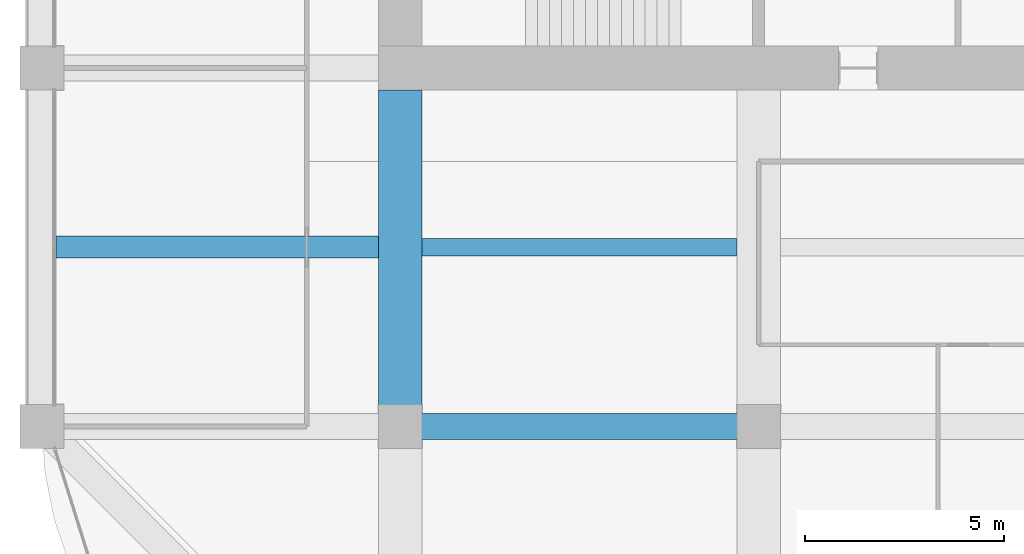
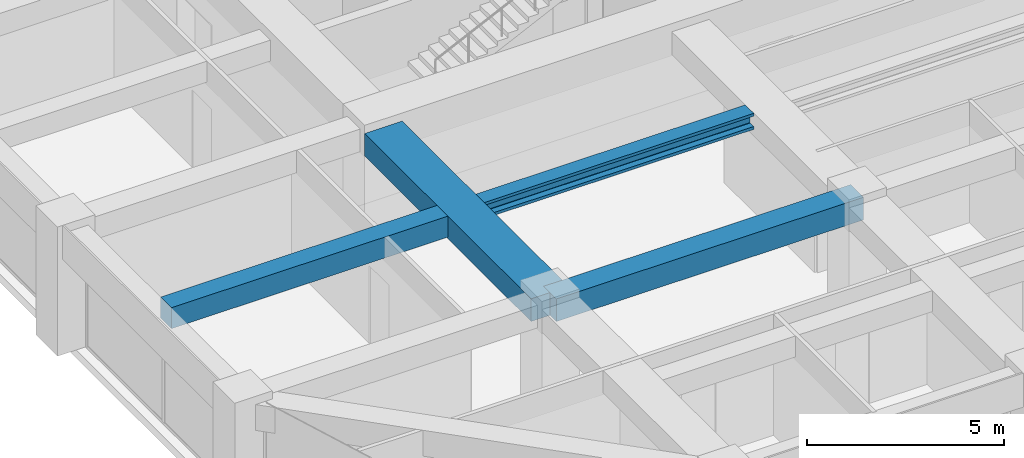
# One storey, part 8 of 44: 4 beams.
"""IFC4 building model written with IfcOpenShell, lengths in metres."""

from ifc_helpers import new_model, si_unit, direction, frame, origin, origin_2d, place, context, subcontext, project, spatial, rectangle, i_section, extrude, material, material_profile, profile_set, type_object, element, save


model = new_model("IFC4")

# Units and contexts
model_context = context("Model", 3, precision=1e-05, world=origin(), true_north=direction((0.0, 1.0)))
body_context = subcontext(model_context, "Body", "Model", "MODEL_VIEW")
ifc_project = project(units=[si_unit("LENGTHUNIT", "METRE"), si_unit("AREAUNIT", "SQUARE_METRE"), si_unit("VOLUMEUNIT", "CUBIC_METRE"), si_unit("PLANEANGLEUNIT", "RADIAN"), si_unit("MASSUNIT", "GRAM", prefix="KILO")], contexts=[model_context])

# Site, building, storey
site_placement = place(None, origin())
site = spatial("IfcSite", under=ifc_project, at=site_placement, CompositionType="ELEMENT")
building_placement = place(site_placement, origin())
building = spatial("IfcBuilding", under=site, at=building_placement, Name="Zorevar Civic Tower", CompositionType="ELEMENT")
storey_placement = place(building_placement, frame((0.0, 0.0, 295.39990234375)))
storey = spatial("IfcBuildingStorey", under=building, at=storey_placement, Name="L72", CompositionType="ELEMENT", Elevation=295.39990234375)

# Beams
ifc_material_1 = material(Name="Concrete C50/60", Category="concrete")
ifc_material_profile_1 = material_profile(ifc_material_1, rectangle(XDim=1.10009765625, YDim=0.699951171875, at=origin_2d()), Name="RC 1100x700")
ifc_profile_set_1 = profile_set([ifc_material_profile_1], Name="Concrete C50/60")
beam_type_1 = type_object("IfcBeamType", Name="Beam RC 1100x700", PredefinedType="BEAM", material=ifc_profile_set_1)
beam_1_placement = place(storey_placement, frame((18.0, 9.0, 3.400146484375), z_axis=(0.0, 1.0, 0.0), x_axis=(-1.0, 0.0, 0.0)))
element("IfcBeam", 1, at=beam_1_placement, inside=storey, type_object=beam_type_1, Name="Girder L73", PredefinedType="BEAM", context=body_context, shape_type="SweptSolid", body=[
    extrude(rectangle(XDim=1.10009765625, YDim=0.699951171875, at=origin_2d()), origin(), (0.0, 0.0, 1.0), 8.449951171875),
])
ifc_material_2 = material(Name="Concrete C50/60", Category="concrete")
ifc_material_profile_2 = material_profile(ifc_material_2, rectangle(XDim=0.550048828125, YDim=0.64990234375, at=origin_2d()), Name="RC 550x650")
ifc_profile_set_2 = profile_set([ifc_material_profile_2], Name="Concrete C50/60")
beam_type_2 = type_object("IfcBeamType", Name="Beam RC 550x650", PredefinedType="BEAM", material=ifc_profile_set_2)
beam_2_placement = place(storey_placement, frame((9.35009765625, 13.5, 3.425048828125), z_axis=(1.0, 0.0, 0.0), x_axis=(0.0, 1.0, 0.0)))
element("IfcBeam", 2, at=beam_2_placement, inside=storey, type_object=beam_type_2, Name="Secondary beam L73", PredefinedType="BEAM", context=body_context, shape_type="SweptSolid", body=[
    extrude(rectangle(XDim=0.550048828125, YDim=0.64990234375, at=origin_2d()), origin(), (0.0, 0.0, 1.0), 8.099853515625),
])
ifc_material_3 = material(Name="Concrete C50/60", Category="concrete")
ifc_material_profile_3 = material_profile(ifc_material_3, rectangle(XDim=0.64990234375, YDim=0.699951171875, at=origin_2d()), Name="RC 650x700")
ifc_profile_set_3 = profile_set([ifc_material_profile_3], Name="Concrete C50/60")
beam_type_3 = type_object("IfcBeamType", Name="Beam RC 650x700", PredefinedType="BEAM", material=ifc_profile_set_3)
beam_3_placement = place(storey_placement, frame((18.0, 9.0, 3.400146484375), z_axis=(1.0, 0.0, 0.0), x_axis=(0.0, 1.0, 0.0)))
element("IfcBeam", 3, at=beam_3_placement, inside=storey, type_object=beam_type_3, Name="Girder L73", PredefinedType="BEAM", context=body_context, shape_type="SweptSolid", body=[
    extrude(rectangle(XDim=0.64990234375, YDim=0.699951171875, at=origin_2d()), origin(), (0.0, 0.0, 1.0), 9.0),
])
ifc_material_4 = material(Name="Steel S460M (HISTAR 460)", Category="steel")
ifc_material_profile_4 = material_profile(ifc_material_4, i_section(OverallWidth=0.431884765625, OverallDepth=0.498046875, WebThickness=0.0556640625, FlangeThickness=0.0888671875, FilletRadius=0.014892578125, at=origin_2d()), Name="HD 400x744")
ifc_profile_set_4 = profile_set([ifc_material_profile_4], Name="Steel S460M (HISTAR 460)")
beam_type_4 = type_object("IfcBeamType", Name="Core bay beam HD 400x744", PredefinedType="BEAM", material=ifc_profile_set_4)
beam_4_placement = place(storey_placement, frame((18.550048828125, 13.5, 3.5009765625), z_axis=(1.0, 0.0, 0.0), x_axis=(0.0, 1.0, 0.0)))
element("IfcBeam", 4, at=beam_4_placement, inside=storey, type_object=beam_type_4, Name="Secondary beam L73", PredefinedType="BEAM", context=body_context, shape_type="SweptSolid", body=[
    extrude(i_section(OverallWidth=0.431884765625, OverallDepth=0.498046875, WebThickness=0.0556640625, FlangeThickness=0.0888671875, FilletRadius=0.014892578125, at=origin_2d()), origin(), (0.0, 0.0, 1.0), 7.89990234375),
])

save(model, "model.ifc")
